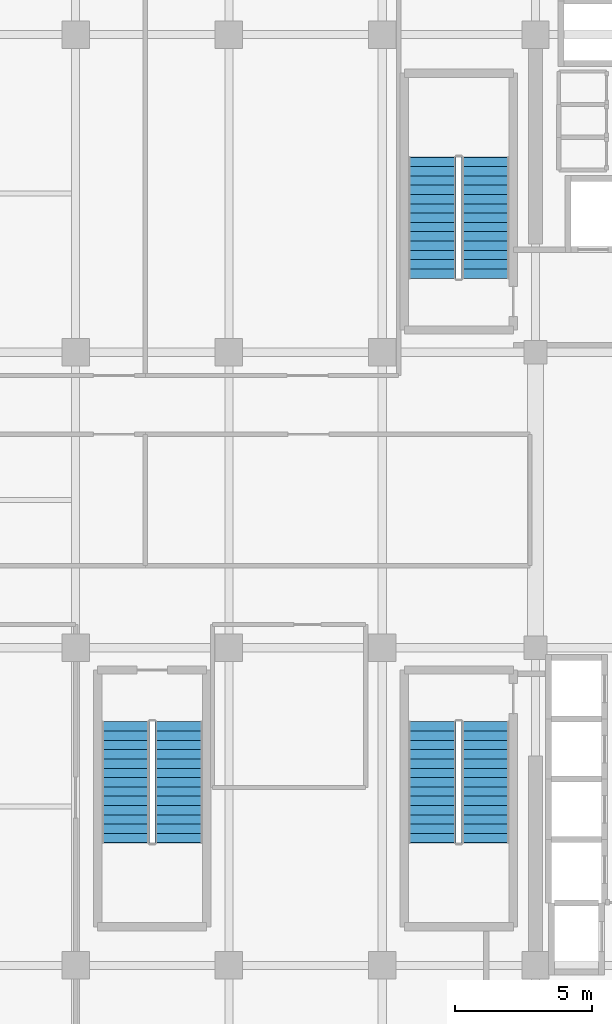
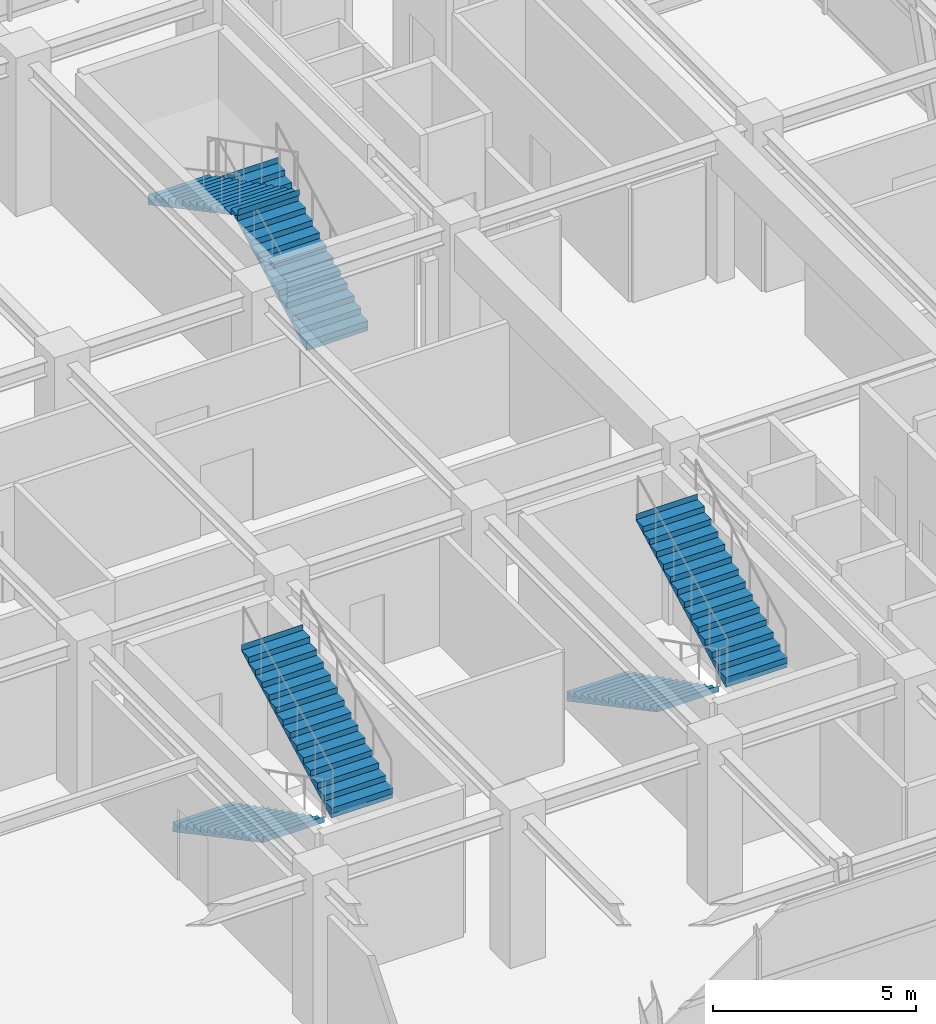
# One storey, part 24 of 28: 6 stair flights, 3 elements without a shape of their own.
"""IFC4 building model written with IfcOpenShell, lengths in metres."""

from ifc_helpers import new_model, si_unit, direction, frame, origin, place, context, subcontext, project, spatial, polyline, outline, extrude, source, transform, mapped, material, layer, layer_set, type_object, element, aggregate, save


model = new_model("IFC4")

# Units and contexts
model_context = context("Model", 3, precision=1e-05, world=origin(), true_north=direction((0.0, 1.0)))
body_context = subcontext(model_context, "Body", "Model", "MODEL_VIEW")
ifc_project = project(units=[si_unit("LENGTHUNIT", "METRE"), si_unit("AREAUNIT", "SQUARE_METRE"), si_unit("VOLUMEUNIT", "CUBIC_METRE"), si_unit("PLANEANGLEUNIT", "RADIAN"), si_unit("MASSUNIT", "GRAM", prefix="KILO")], contexts=[model_context])

# Site, building, storey
site_placement = place(None, origin())
site = spatial("IfcSite", under=ifc_project, at=site_placement, CompositionType="ELEMENT")
building_placement = place(site_placement, origin())
building = spatial("IfcBuilding", under=site, at=building_placement, Name="Nahalor Promenade Grand Hotel", CompositionType="ELEMENT")
storey_placement = place(building_placement, frame((0.0, 0.0, 256.699951171875)))
storey = spatial("IfcBuildingStorey", under=building, at=storey_placement, Name="L66", CompositionType="ELEMENT", Elevation=256.699951171875)

# Stair, stair flights
ifc_material = material(Name="Concrete B-50 (C40/50)", Category="concrete")
stair_type_1 = type_object("IfcStairType", Name="Stair-ST1", PredefinedType="HALF_TURN_STAIR", material=ifc_material)
stair_1_placement = place(storey_placement, origin())
stair_1 = element("IfcStair", 1, at=stair_1_placement, inside=storey, type_object=stair_type_1, Name="L66 ST1", PredefinedType="HALF_TURN_STAIR")
ifc_layer_1 = layer(ifc_material, 0.179931640625)
ifc_layer_set_1 = layer_set([ifc_layer_1], Name="Concrete B-50 (C40/50)")
stair_flight_type_1 = type_object("IfcStairFlightType", Name="Flight-ST1", PredefinedType="STRAIGHT", material=ifc_layer_set_1)
shared_shape_1 = source(origin(), body_context, "Body", "SweptSolid", [
    extrude(outline(polyline([(-0.00390625, -0.1201171875), (-0.00390625, 0.0), (0.0, 0.0), (0.0, 0.17138671875), (0.340087890625, 0.17138671875), (0.340087890625, 0.3427734375), (0.679931640625, 0.3427734375), (0.679931640625, 0.514404296875), (1.02001953125, 0.514404296875), (1.02001953125, 0.685791015625), (1.360107421875, 0.685791015625), (1.360107421875, 0.857177734375), (1.699951171875, 0.857177734375), (1.699951171875, 1.028564453125), (2.0400390625, 1.028564453125), (2.0400390625, 1.199951171875), (2.3798828125, 1.199951171875), (2.3798828125, 1.371337890625), (2.719970703125, 1.371337890625), (2.719970703125, 1.54296875), (3.06005859375, 1.54296875), (3.06005859375, 1.71435546875), (3.39990234375, 1.71435546875), (3.39990234375, 1.8857421875), (3.739990234375, 1.8857421875), (3.739990234375, 2.05712890625), (4.080078125, 2.05712890625), (4.080078125, 2.228515625), (4.419921875, 2.228515625), (4.419921875, 2.39990234375), (4.424072265625, 2.39990234375), (4.424072265625, 2.219970703125), (0.02001953125, -0.1201171875), (-0.00390625, -0.1201171875)])), frame((0.0, 0.875, 0.0), z_axis=(0.0, -1.0, 0.0), x_axis=(1.0, 0.0, 0.0)), (0.0, 0.0, 1.0), 1.75),
])
stair_flight_1_placement = place(storey_placement, frame((6.574951171875, 8.10009765625, 0.0), z_axis=(0.0, 0.0, 1.0), x_axis=(0.0, 1.0, 0.0)))
stair_flight_1 = element("IfcStairFlight", 2, at=stair_flight_1_placement, type_object=stair_flight_type_1, Name="ST1 flight 1", NumberOfRisers=14, NumberOfTreads=13, PredefinedType="STRAIGHT", RiserHeight=0.171428571, TreadLength=0.34, context=body_context, shape_type="MappedRepresentation", body=[
    mapped(shared_shape_1, transform((0.0, 0.0, 0.0), scale=1.0)),
])
stair_flight_2_placement = place(storey_placement, frame((4.625, 12.52001953125, 2.400146484375), z_axis=(0.0, 0.0, 1.0), x_axis=(0.0, -1.0, 0.0)))
stair_flight_2 = element("IfcStairFlight", 3, at=stair_flight_2_placement, type_object=stair_flight_type_1, Name="ST1 flight 2", NumberOfRisers=14, NumberOfTreads=13, PredefinedType="STRAIGHT", RiserHeight=0.171428571, TreadLength=0.34, context=body_context, shape_type="MappedRepresentation", body=[
    mapped(shared_shape_1, transform((0.0, 0.0, 0.0), scale=1.0)),
])
aggregate(stair_1, [stair_flight_1, stair_flight_2])

stair_type_2 = type_object("IfcStairType", Name="Stair-ST2", PredefinedType="HALF_TURN_STAIR", material=ifc_material)
stair_2_placement = place(storey_placement, origin())
stair_2 = element("IfcStair", 4, at=stair_2_placement, inside=storey, type_object=stair_type_2, Name="L66 ST2", PredefinedType="HALF_TURN_STAIR")
ifc_layer_2 = layer(ifc_material, 0.18994140625)
ifc_layer_set_2 = layer_set([ifc_layer_2], Name="Concrete B-50 (C40/50)")
stair_flight_type_2 = type_object("IfcStairFlightType", Name="Flight-ST2", PredefinedType="STRAIGHT", material=ifc_layer_set_2)
shared_shape_2 = source(origin(), body_context, "Body", "SweptSolid", [
    extrude(outline(polyline([(-0.00390625, -0.1201171875), (-0.00390625, 0.0), (0.0, 0.0), (0.0, 0.17138671875), (0.340087890625, 0.17138671875), (0.340087890625, 0.3427734375), (0.679931640625, 0.3427734375), (0.679931640625, 0.514404296875), (1.02001953125, 0.514404296875), (1.02001953125, 0.685791015625), (1.360107421875, 0.685791015625), (1.360107421875, 0.857177734375), (1.699951171875, 0.857177734375), (1.699951171875, 1.028564453125), (2.0400390625, 1.028564453125), (2.0400390625, 1.199951171875), (2.3798828125, 1.199951171875), (2.3798828125, 1.371337890625), (2.719970703125, 1.371337890625), (2.719970703125, 1.54296875), (3.06005859375, 1.54296875), (3.06005859375, 1.71435546875), (3.39990234375, 1.71435546875), (3.39990234375, 1.8857421875), (3.739990234375, 1.8857421875), (3.739990234375, 2.05712890625), (4.080078125, 2.05712890625), (4.080078125, 2.228515625), (4.419921875, 2.228515625), (4.419921875, 2.39990234375), (4.424072265625, 2.39990234375), (4.424072265625, 2.219970703125), (0.02001953125, -0.1201171875), (-0.00390625, -0.1201171875)])), frame((0.0, 0.875, 0.0), z_axis=(0.0, -1.0, 0.0), x_axis=(1.0, 0.0, 0.0)), (0.0, 0.0, 1.0), 1.75),
])
stair_flight_3_placement = place(storey_placement, frame((4.625, -8.10009765625, 0.0), z_axis=(0.0, 0.0, 1.0), x_axis=(0.0, -1.0, 0.0)))
stair_flight_3 = element("IfcStairFlight", 5, at=stair_flight_3_placement, type_object=stair_flight_type_2, Name="ST2 flight 1", NumberOfRisers=14, NumberOfTreads=13, PredefinedType="STRAIGHT", RiserHeight=0.171428571, TreadLength=0.34, context=body_context, shape_type="MappedRepresentation", body=[
    mapped(shared_shape_2, transform((0.0, 0.0, 0.0), scale=1.0)),
])
stair_flight_4_placement = place(storey_placement, frame((6.574951171875, -12.52001953125, 2.400146484375), z_axis=(0.0, 0.0, 1.0), x_axis=(0.0, 1.0, 0.0)))
stair_flight_4 = element("IfcStairFlight", 6, at=stair_flight_4_placement, type_object=stair_flight_type_2, Name="ST2 flight 2", NumberOfRisers=14, NumberOfTreads=13, PredefinedType="STRAIGHT", RiserHeight=0.171428571, TreadLength=0.34, context=body_context, shape_type="MappedRepresentation", body=[
    mapped(shared_shape_2, transform((0.0, 0.0, 0.0), scale=1.0)),
])
aggregate(stair_2, [stair_flight_3, stair_flight_4])

stair_type_3 = type_object("IfcStairType", Name="Stair-ST3", PredefinedType="HALF_TURN_STAIR", material=ifc_material)
stair_3_placement = place(storey_placement, origin())
stair_3 = element("IfcStair", 7, at=stair_3_placement, inside=storey, type_object=stair_type_3, Name="L66 ST3", PredefinedType="HALF_TURN_STAIR")
ifc_layer_3 = layer(ifc_material, 0.199951171875)
ifc_layer_set_3 = layer_set([ifc_layer_3], Name="Concrete B-50 (C40/50)")
stair_flight_type_3 = type_object("IfcStairFlightType", Name="Flight-ST3", PredefinedType="STRAIGHT", material=ifc_layer_set_3)
shared_shape_3 = source(origin(), body_context, "Body", "SweptSolid", [
    extrude(outline(polyline([(-0.00390625, -0.1201171875), (-0.00390625, 0.0), (0.0, 0.0), (0.0, 0.17138671875), (0.340087890625, 0.17138671875), (0.340087890625, 0.3427734375), (0.679931640625, 0.3427734375), (0.679931640625, 0.514404296875), (1.02001953125, 0.514404296875), (1.02001953125, 0.685791015625), (1.360107421875, 0.685791015625), (1.360107421875, 0.857177734375), (1.699951171875, 0.857177734375), (1.699951171875, 1.028564453125), (2.0400390625, 1.028564453125), (2.0400390625, 1.199951171875), (2.3798828125, 1.199951171875), (2.3798828125, 1.371337890625), (2.719970703125, 1.371337890625), (2.719970703125, 1.54296875), (3.06005859375, 1.54296875), (3.06005859375, 1.71435546875), (3.39990234375, 1.71435546875), (3.39990234375, 1.8857421875), (3.739990234375, 1.8857421875), (3.739990234375, 2.05712890625), (4.080078125, 2.05712890625), (4.080078125, 2.228515625), (4.419921875, 2.228515625), (4.419921875, 2.39990234375), (4.424072265625, 2.39990234375), (4.424072265625, 2.219970703125), (0.02001953125, -0.1201171875), (-0.00390625, -0.1201171875)])), frame((0.0, 0.875, 0.0), z_axis=(0.0, -1.0, 0.0), x_axis=(1.0, 0.0, 0.0)), (0.0, 0.0, 1.0), 1.75),
])
stair_flight_5_placement = place(storey_placement, frame((-6.574951171875, -8.10009765625, 0.0), z_axis=(0.0, 0.0, 1.0), x_axis=(0.0, -1.0, 0.0)))
stair_flight_5 = element("IfcStairFlight", 8, at=stair_flight_5_placement, type_object=stair_flight_type_3, Name="ST3 flight 1", NumberOfRisers=14, NumberOfTreads=13, PredefinedType="STRAIGHT", RiserHeight=0.171428571, TreadLength=0.34, context=body_context, shape_type="MappedRepresentation", body=[
    mapped(shared_shape_3, transform((0.0, 0.0, 0.0), scale=1.0)),
])
stair_flight_6_placement = place(storey_placement, frame((-4.625, -12.52001953125, 2.400146484375), z_axis=(0.0, 0.0, 1.0), x_axis=(0.0, 1.0, 0.0)))
stair_flight_6 = element("IfcStairFlight", 9, at=stair_flight_6_placement, type_object=stair_flight_type_3, Name="ST3 flight 2", NumberOfRisers=14, NumberOfTreads=13, PredefinedType="STRAIGHT", RiserHeight=0.171428571, TreadLength=0.34, context=body_context, shape_type="MappedRepresentation", body=[
    mapped(shared_shape_3, transform((0.0, 0.0, 0.0), scale=1.0)),
])
aggregate(stair_3, [stair_flight_5, stair_flight_6])

save(model, "model.ifc")
